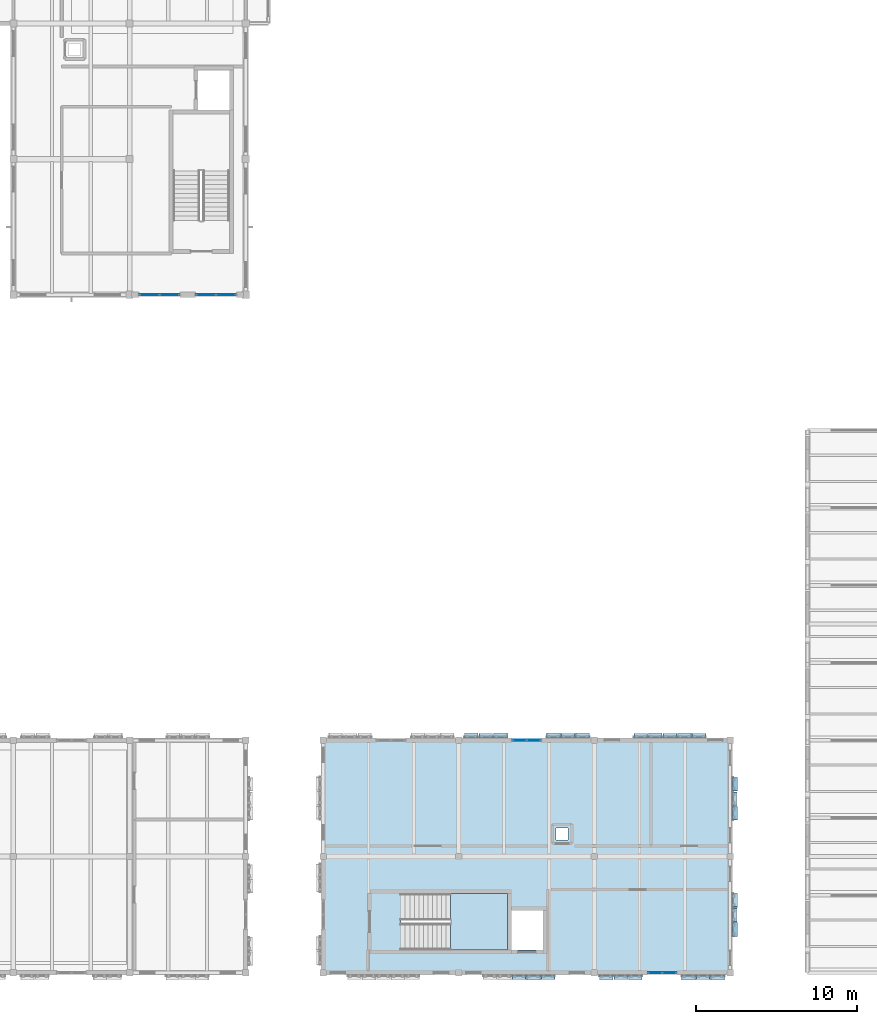
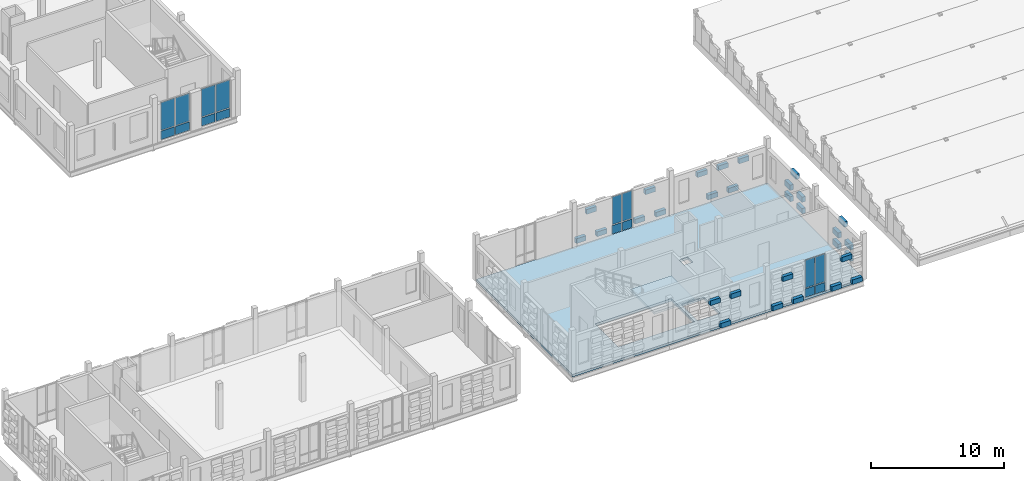
# One storey, part 36 of 81: 46 plates, 2 slabs, 5 elements without a shape of their own.
"""IFC4 building model written with IfcOpenShell, lengths in metres."""

from ifc_helpers import new_model, si_unit, direction, frame, origin, origin_2d, place, context, subcontext, project, spatial, polyline, rectangle, outline, extrude, material, layer, layer_set, type_object, element, aggregate, save


model = new_model("IFC4")

# Units and contexts
model_context = context("Model", 3, precision=1e-05, world=origin(), true_north=direction((0.0, 1.0)))
body_context = subcontext(model_context, "Body", "Model", "MODEL_VIEW")
ifc_project = project(units=[si_unit("LENGTHUNIT", "METRE"), si_unit("AREAUNIT", "SQUARE_METRE"), si_unit("VOLUMEUNIT", "CUBIC_METRE"), si_unit("PLANEANGLEUNIT", "RADIAN"), si_unit("MASSUNIT", "GRAM", prefix="KILO")], contexts=[model_context])

# Site, building, storey
site_placement = place(None, origin())
site = spatial("IfcSite", under=ifc_project, at=site_placement, CompositionType="ELEMENT")
building_placement = place(site_placement, origin())
building = spatial("IfcBuilding", under=site, at=building_placement, Name="Kahlenmark Community Centre", CompositionType="ELEMENT")
storey_placement = place(building_placement, frame((0.0, 0.0, 9.60009765625)))
storey = spatial("IfcBuildingStorey", under=building, at=storey_placement, Name="L02", CompositionType="ELEMENT", Elevation=9.60009765625)

# Curtain wall, plates
ifc_material_1 = material(Name="Anodised aluminium unitised curtain wall", Category="aluminium")
curtain_wall_type_1 = type_object("IfcCurtainWallType", Name="CWT-UNIT-254X347", PredefinedType="USERDEFINED", material=ifc_material_1)
curtain_wall_1_placement = place(storey_placement, origin())
curtain_wall_1 = element("IfcCurtainWall", 1, at=curtain_wall_1_placement, inside=storey, type_object=curtain_wall_type_1, Name="Unitised curtain wall CW-099", ObjectType="UNITISED CURTAIN WALL", PredefinedType="USERDEFINED")
ifc_material_2 = material(Name="Triple low-e solar-control glass unit", Category="glass")
ifc_layer_1 = layer(ifc_material_2, 0.0439453125)
ifc_layer_set_1 = layer_set([ifc_layer_1], Name="Triple low-e solar-control glass unit")
plate_type_1 = type_object("IfcPlateType", Name="PLT-CW-GLZ-1190X2540", PredefinedType="CURTAIN_PANEL", material=ifc_layer_set_1)
plate_1_placement = place(storey_placement, frame((80.81494140625, 50.800048828125, 0.889892578125), z_axis=(0.0, 0.0, 1.0), x_axis=(1.0, 0.0, 0.0)))
plate_1 = element("IfcPlate", 2, at=plate_1_placement, type_object=plate_type_1, Name="CW-099 glazed panel 1", PredefinedType="CURTAIN_PANEL", context=body_context, shape_type="SweptSolid", body=[
    extrude(rectangle(XDim=1.18994140625, YDim=0.0439453125, at=origin_2d()), origin(), (0.0, 0.0, 1.0), 2.5400390625),
])
plate_2_placement = place(storey_placement, frame((82.0849609375, 50.800048828125, 0.889892578125), z_axis=(0.0, 0.0, 1.0), x_axis=(1.0, 0.0, 0.0)))
plate_2 = element("IfcPlate", 3, at=plate_2_placement, type_object=plate_type_1, Name="CW-099 glazed panel 2", PredefinedType="CURTAIN_PANEL", context=body_context, shape_type="SweptSolid", body=[
    extrude(rectangle(XDim=1.18994140625, YDim=0.0439453125, at=origin_2d()), origin(), (0.0, 0.0, 1.0), 2.5400390625),
])

curtain_wall_2_placement = place(storey_placement, origin())
curtain_wall_2 = element("IfcCurtainWall", 4, at=curtain_wall_2_placement, inside=storey, type_object=curtain_wall_type_1, Name="Unitised curtain wall CW-100", ObjectType="UNITISED CURTAIN WALL", PredefinedType="USERDEFINED")
plate_3_placement = place(storey_placement, frame((84.31494140625, 50.800048828125, 0.889892578125), z_axis=(0.0, 0.0, 1.0), x_axis=(1.0, 0.0, 0.0)))
plate_3 = element("IfcPlate", 5, at=plate_3_placement, type_object=plate_type_1, Name="CW-100 glazed panel 1", PredefinedType="CURTAIN_PANEL", context=body_context, shape_type="SweptSolid", body=[
    extrude(rectangle(XDim=1.18994140625, YDim=0.0439453125, at=origin_2d()), origin(), (0.0, 0.0, 1.0), 2.5400390625),
])
plate_4_placement = place(storey_placement, frame((85.5849609375, 50.800048828125, 0.889892578125), z_axis=(0.0, 0.0, 1.0), x_axis=(1.0, 0.0, 0.0)))
plate_4 = element("IfcPlate", 6, at=plate_4_placement, type_object=plate_type_1, Name="CW-100 glazed panel 2", PredefinedType="CURTAIN_PANEL", context=body_context, shape_type="SweptSolid", body=[
    extrude(rectangle(XDim=1.18994140625, YDim=0.0439453125, at=origin_2d()), origin(), (0.0, 0.0, 1.0), 2.5400390625),
])

curtain_wall_type_2 = type_object("IfcCurtainWallType", Name="CWT-UNIT-180X347", PredefinedType="USERDEFINED", material=ifc_material_1)
curtain_wall_3_placement = place(storey_placement, origin())
curtain_wall_3 = element("IfcCurtainWall", 7, at=curtain_wall_3_placement, inside=storey, type_object=curtain_wall_type_2, Name="Unitised curtain wall CW-101", ObjectType="UNITISED CURTAIN WALL", PredefinedType="USERDEFINED")
ifc_layer_2 = layer(ifc_material_2, 0.0439453125)
ifc_layer_set_2 = layer_set([ifc_layer_2], Name="Triple low-e solar-control glass unit")
plate_type_2 = type_object("IfcPlateType", Name="PLT-CW-GLZ-820X2540", PredefinedType="CURTAIN_PANEL", material=ifc_layer_set_2)
plate_5_placement = place(storey_placement, frame((112.14990234375, 8.800048828125, 0.889892578125), z_axis=(0.0, 0.0, 1.0), x_axis=(1.0, 0.0, 0.0)))
plate_5 = element("IfcPlate", 8, at=plate_5_placement, type_object=plate_type_2, Name="CW-101 glazed panel 1", PredefinedType="CURTAIN_PANEL", context=body_context, shape_type="SweptSolid", body=[
    extrude(rectangle(XDim=0.820068359375, YDim=0.0439453125, at=origin_2d()), origin(), (0.0, 0.0, 1.0), 2.5400390625),
])
plate_6_placement = place(storey_placement, frame((113.050048828125, 8.800048828125, 0.889892578125), z_axis=(0.0, 0.0, 1.0), x_axis=(1.0, 0.0, 0.0)))
plate_6 = element("IfcPlate", 9, at=plate_6_placement, type_object=plate_type_2, Name="CW-101 glazed panel 2", PredefinedType="CURTAIN_PANEL", context=body_context, shape_type="SweptSolid", body=[
    extrude(rectangle(XDim=0.820068359375, YDim=0.0439453125, at=origin_2d()), origin(), (0.0, 0.0, 1.0), 2.5400390625),
])

curtain_wall_4_placement = place(storey_placement, origin())
curtain_wall_4 = element("IfcCurtainWall", 10, at=curtain_wall_4_placement, inside=storey, type_object=curtain_wall_type_2, Name="Unitised curtain wall CW-103", ObjectType="UNITISED CURTAIN WALL", PredefinedType="USERDEFINED")
plate_7_placement = place(storey_placement, frame((104.64990234375, 23.199951171875, 0.889892578125), z_axis=(0.0, 0.0, 1.0), x_axis=(-1.0, 0.0, 0.0)))
plate_7 = element("IfcPlate", 11, at=plate_7_placement, type_object=plate_type_2, Name="CW-103 glazed panel 1", PredefinedType="CURTAIN_PANEL", context=body_context, shape_type="SweptSolid", body=[
    extrude(rectangle(XDim=0.820068359375, YDim=0.0439453125, at=origin_2d()), origin(), (0.0, 0.0, 1.0), 2.5400390625),
])
plate_8_placement = place(storey_placement, frame((103.75, 23.199951171875, 0.889892578125), z_axis=(0.0, 0.0, 1.0), x_axis=(-1.0, 0.0, 0.0)))
plate_8 = element("IfcPlate", 12, at=plate_8_placement, type_object=plate_type_2, Name="CW-103 glazed panel 2", PredefinedType="CURTAIN_PANEL", context=body_context, shape_type="SweptSolid", body=[
    extrude(rectangle(XDim=0.820068359375, YDim=0.0439453125, at=origin_2d()), origin(), (0.0, 0.0, 1.0), 2.5400390625),
])

# Plate
ifc_material_3 = material(Name="Warm terracotta insulated spandrel cassette", Category="masonry")
ifc_layer_3 = layer(ifc_material_3, 0.06005859375)
ifc_layer_set_3 = layer_set([ifc_layer_3], Name="Warm terracotta insulated spandrel cassette")
plate_type_3 = type_object("IfcPlateType", Name="PLT-CW-SPD-1190X770", PredefinedType="CURTAIN_PANEL", material=ifc_layer_set_3)
plate_9_placement = place(storey_placement, frame((80.81494140625, 50.800048828125, 0.039794921875), z_axis=(0.0, 0.0, 1.0), x_axis=(1.0, 0.0, 0.0)))
plate_9 = element("IfcPlate", 13, at=plate_9_placement, type_object=plate_type_3, Name="CW-099 spandrel 1", PredefinedType="CURTAIN_PANEL", context=body_context, shape_type="SweptSolid", body=[
    extrude(rectangle(XDim=1.18994140625, YDim=0.06005859375, at=origin_2d()), origin(), (0.0, 0.0, 1.0), 0.77001953125),
])

plate_10_placement = place(storey_placement, frame((82.0849609375, 50.800048828125, 0.039794921875), z_axis=(0.0, 0.0, 1.0), x_axis=(1.0, 0.0, 0.0)))
plate_10 = element("IfcPlate", 14, at=plate_10_placement, type_object=plate_type_3, Name="CW-099 spandrel 2", PredefinedType="CURTAIN_PANEL", context=body_context, shape_type="SweptSolid", body=[
    extrude(rectangle(XDim=1.18994140625, YDim=0.06005859375, at=origin_2d()), origin(), (0.0, 0.0, 1.0), 0.77001953125),
])

aggregate(curtain_wall_1, [plate_9, plate_1, plate_10, plate_2])

plate_11_placement = place(storey_placement, frame((84.31494140625, 50.800048828125, 0.039794921875), z_axis=(0.0, 0.0, 1.0), x_axis=(1.0, 0.0, 0.0)))
plate_11 = element("IfcPlate", 15, at=plate_11_placement, type_object=plate_type_3, Name="CW-100 spandrel 1", PredefinedType="CURTAIN_PANEL", context=body_context, shape_type="SweptSolid", body=[
    extrude(rectangle(XDim=1.18994140625, YDim=0.06005859375, at=origin_2d()), origin(), (0.0, 0.0, 1.0), 0.77001953125),
])

plate_12_placement = place(storey_placement, frame((85.5849609375, 50.800048828125, 0.039794921875), z_axis=(0.0, 0.0, 1.0), x_axis=(1.0, 0.0, 0.0)))
plate_12 = element("IfcPlate", 16, at=plate_12_placement, type_object=plate_type_3, Name="CW-100 spandrel 2", PredefinedType="CURTAIN_PANEL", context=body_context, shape_type="SweptSolid", body=[
    extrude(rectangle(XDim=1.18994140625, YDim=0.06005859375, at=origin_2d()), origin(), (0.0, 0.0, 1.0), 0.77001953125),
])

aggregate(curtain_wall_2, [plate_11, plate_3, plate_12, plate_4])

ifc_layer_4 = layer(ifc_material_3, 0.06005859375)
ifc_layer_set_4 = layer_set([ifc_layer_4], Name="Warm terracotta insulated spandrel cassette")
plate_type_4 = type_object("IfcPlateType", Name="PLT-CW-SPD-820X770", PredefinedType="CURTAIN_PANEL", material=ifc_layer_set_4)
plate_13_placement = place(storey_placement, frame((112.14990234375, 8.800048828125, 0.039794921875), z_axis=(0.0, 0.0, 1.0), x_axis=(1.0, 0.0, 0.0)))
plate_13 = element("IfcPlate", 17, at=plate_13_placement, type_object=plate_type_4, Name="CW-101 spandrel 1", PredefinedType="CURTAIN_PANEL", context=body_context, shape_type="SweptSolid", body=[
    extrude(rectangle(XDim=0.820068359375, YDim=0.06005859375, at=origin_2d()), origin(), (0.0, 0.0, 1.0), 0.77001953125),
])

plate_14_placement = place(storey_placement, frame((113.050048828125, 8.800048828125, 0.039794921875), z_axis=(0.0, 0.0, 1.0), x_axis=(1.0, 0.0, 0.0)))
plate_14 = element("IfcPlate", 18, at=plate_14_placement, type_object=plate_type_4, Name="CW-101 spandrel 2", PredefinedType="CURTAIN_PANEL", context=body_context, shape_type="SweptSolid", body=[
    extrude(rectangle(XDim=0.820068359375, YDim=0.06005859375, at=origin_2d()), origin(), (0.0, 0.0, 1.0), 0.77001953125),
])

aggregate(curtain_wall_3, [plate_13, plate_5, plate_14, plate_6])

plate_15_placement = place(storey_placement, frame((104.64990234375, 23.199951171875, 0.039794921875), z_axis=(0.0, 0.0, 1.0), x_axis=(-1.0, 0.0, 0.0)))
plate_15 = element("IfcPlate", 19, at=plate_15_placement, type_object=plate_type_4, Name="CW-103 spandrel 1", PredefinedType="CURTAIN_PANEL", context=body_context, shape_type="SweptSolid", body=[
    extrude(rectangle(XDim=0.820068359375, YDim=0.06005859375, at=origin_2d()), origin(), (0.0, 0.0, 1.0), 0.77001953125),
])

plate_16_placement = place(storey_placement, frame((103.75, 23.199951171875, 0.039794921875), z_axis=(0.0, 0.0, 1.0), x_axis=(-1.0, 0.0, 0.0)))
plate_16 = element("IfcPlate", 20, at=plate_16_placement, type_object=plate_type_4, Name="CW-103 spandrel 2", PredefinedType="CURTAIN_PANEL", context=body_context, shape_type="SweptSolid", body=[
    extrude(rectangle(XDim=0.820068359375, YDim=0.06005859375, at=origin_2d()), origin(), (0.0, 0.0, 1.0), 0.77001953125),
])

aggregate(curtain_wall_4, [plate_15, plate_7, plate_16, plate_8])

# Plates
ifc_material_4 = material(Name="Extruded glazed terracotta weave cassette", Category="masonry")
ifc_layer_5 = layer(ifc_material_4, 0.300048828125)
ifc_layer_set_5 = layer_set([ifc_layer_5], Name="Extruded glazed terracotta weave cassette")
plate_type_5 = type_object("IfcPlateType", Name="PLT-TC-TC-R34-840X300X478", PredefinedType="SHEET", material=ifc_layer_set_5)
for number, where, z_axis, x_axis, name in (
    (21, (117.10009765625, 11.47998046875, 1.135986328125), (0.0, 0.0, 1.0), (0.0, 1.0, 0.0), "Basketweave terracotta cassette 3342"),
    (22, (117.10009765625, 13.280029296875, 1.135986328125), (0.0, 0.0, 1.0), (0.0, 1.0, 0.0), "Basketweave terracotta cassette 3354"),
    (23, (117.10009765625, 18.679931640625, 1.135986328125), (0.0, 0.0, 1.0), (0.0, 1.0, 0.0), "Basketweave terracotta cassette 3360"),
    (24, (117.10009765625, 20.47998046875, 1.135986328125), (0.0, 0.0, 1.0), (0.0, 1.0, 0.0), "Basketweave terracotta cassette 3372"),
):
    element("IfcPlate", number, at=place(storey_placement, frame(where, z_axis=z_axis, x_axis=x_axis)), inside=storey, type_object=plate_type_5, Name=name, PredefinedType="SHEET", context=body_context, shape_type="SweptSolid", body=[
        extrude(rectangle(XDim=0.840087890625, YDim=0.300048828125, at=origin_2d()), origin(), (0.0, 0.0, 1.0), 0.47802734375),
    ])
ifc_layer_6 = layer(ifc_material_4, 0.300048828125)
ifc_layer_set_6 = layer_set([ifc_layer_6], Name="Extruded glazed terracotta weave cassette")
plate_type_6 = type_object("IfcPlateType", Name="PLT-TC-TC-R34-860X300X433", PredefinedType="SHEET", material=ifc_layer_set_6)
for number, where, z_axis, x_axis, name in (
    (25, (104.6298828125, 8.5, 0.099853515625), (0.0, 0.0, 1.0), (1.0, 0.0, 0.0), "Basketweave terracotta cassette 3123"),
    (26, (109.1298828125, 8.5, 0.099853515625), (0.0, 0.0, 1.0), (1.0, 0.0, 0.0), "Basketweave terracotta cassette 3137"),
    (27, (110.929931640625, 8.5, 0.099853515625), (0.0, 0.0, 1.0), (1.0, 0.0, 0.0), "Basketweave terracotta cassette 3151"),
    (28, (114.22998046875, 8.5, 0.099853515625), (0.0, 0.0, 1.0), (1.0, 0.0, 0.0), "Basketweave terracotta cassette 3158"),
    (29, (116.030029296875, 8.5, 0.099853515625), (0.0, 0.0, 1.0), (1.0, 0.0, 0.0), "Basketweave terracotta cassette 3172"),
    (30, (107.669921875, 23.5, 0.099853515625), (0.0, 0.0, 1.0), (-1.0, 0.0, 0.0), "Basketweave terracotta cassette 3221"),
    (31, (105.8701171875, 23.5, 0.099853515625), (0.0, 0.0, 1.0), (-1.0, 0.0, 0.0), "Basketweave terracotta cassette 3235"),
    (32, (102.570068359375, 23.5, 0.099853515625), (0.0, 0.0, 1.0), (-1.0, 0.0, 0.0), "Basketweave terracotta cassette 3242"),
    (33, (100.77001953125, 23.5, 0.099853515625), (0.0, 0.0, 1.0), (-1.0, 0.0, 0.0), "Basketweave terracotta cassette 3256"),
    (34, (113.969970703125, 23.5, 0.099853515625), (0.0, 0.0, 1.0), (-1.0, 0.0, 0.0), "Basketweave terracotta cassette 3270"),
    (35, (112.169921875, 23.5, 0.099853515625), (0.0, 0.0, 1.0), (-1.0, 0.0, 0.0), "Basketweave terracotta cassette 3284"),
):
    element("IfcPlate", number, at=place(storey_placement, frame(where, z_axis=z_axis, x_axis=x_axis)), inside=storey, type_object=plate_type_6, Name=name, PredefinedType="SHEET", context=body_context, shape_type="SweptSolid", body=[
        extrude(rectangle(XDim=0.860107421875, YDim=0.300048828125, at=origin_2d()), origin(), (0.0, 0.0, 1.0), 0.43310546875),
    ])
ifc_layer_7 = layer(ifc_material_4, 0.300048828125)
ifc_layer_set_7 = layer_set([ifc_layer_7], Name="Extruded glazed terracotta weave cassette")
plate_type_7 = type_object("IfcPlateType", Name="PLT-TC-TC-R34-860X300X478", PredefinedType="SHEET", material=ifc_layer_set_7)
for number, where, z_axis, x_axis, name in (
    (36, (117.10009765625, 11.47998046875, 0.099853515625), (0.0, 0.0, 1.0), (0.0, 1.0, 0.0), "Basketweave terracotta cassette 3340"),
    (37, (117.10009765625, 13.280029296875, 0.099853515625), (0.0, 0.0, 1.0), (0.0, 1.0, 0.0), "Basketweave terracotta cassette 3352"),
    (38, (117.10009765625, 18.679931640625, 0.099853515625), (0.0, 0.0, 1.0), (0.0, 1.0, 0.0), "Basketweave terracotta cassette 3358"),
    (39, (117.10009765625, 20.47998046875, 0.099853515625), (0.0, 0.0, 1.0), (0.0, 1.0, 0.0), "Basketweave terracotta cassette 3370"),
):
    element("IfcPlate", number, at=place(storey_placement, frame(where, z_axis=z_axis, x_axis=x_axis)), inside=storey, type_object=plate_type_7, Name=name, PredefinedType="SHEET", context=body_context, shape_type="SweptSolid", body=[
        extrude(rectangle(XDim=0.860107421875, YDim=0.300048828125, at=origin_2d()), origin(), (0.0, 0.0, 1.0), 0.47802734375),
    ])
ifc_layer_8 = layer(ifc_material_4, 0.280029296875)
ifc_layer_set_8 = layer_set([ifc_layer_8], Name="Extruded glazed terracotta weave cassette")
plate_type_8 = type_object("IfcPlateType", Name="PLT-TC-TC-W30-860X280X433", PredefinedType="SHEET", material=ifc_layer_set_8)
for number, where, z_axis, x_axis, name in (
    (40, (103.72998046875, 8.510009765625, 2.46484375), (0.0, 0.0, 1.0), (1.0, 0.0, 0.0), "Basketweave terracotta cassette 3121"),
    (41, (105.530029296875, 8.510009765625, 2.46484375), (0.0, 0.0, 1.0), (1.0, 0.0, 0.0), "Basketweave terracotta cassette 3135"),
    (42, (110.030029296875, 8.510009765625, 2.46484375), (0.0, 0.0, 1.0), (1.0, 0.0, 0.0), "Basketweave terracotta cassette 3149"),
    (43, (115.1298828125, 8.510009765625, 2.46484375), (0.0, 0.0, 1.0), (1.0, 0.0, 0.0), "Basketweave terracotta cassette 3170"),
    (44, (106.77001953125, 23.489990234375, 2.46484375), (0.0, 0.0, 1.0), (-1.0, 0.0, 0.0), "Basketweave terracotta cassette 3233"),
    (45, (101.669921875, 23.489990234375, 2.46484375), (0.0, 0.0, 1.0), (-1.0, 0.0, 0.0), "Basketweave terracotta cassette 3254"),
    (46, (114.8701171875, 23.489990234375, 2.46484375), (0.0, 0.0, 1.0), (-1.0, 0.0, 0.0), "Basketweave terracotta cassette 3268"),
    (47, (113.070068359375, 23.489990234375, 2.46484375), (0.0, 0.0, 1.0), (-1.0, 0.0, 0.0), "Basketweave terracotta cassette 3282"),
    (48, (111.27001953125, 23.489990234375, 2.46484375), (0.0, 0.0, 1.0), (-1.0, 0.0, 0.0), "Basketweave terracotta cassette 3296"),
):
    element("IfcPlate", number, at=place(storey_placement, frame(where, z_axis=z_axis, x_axis=x_axis)), inside=storey, type_object=plate_type_8, Name=name, PredefinedType="SHEET", context=body_context, shape_type="SweptSolid", body=[
        extrude(rectangle(XDim=0.860107421875, YDim=0.280029296875, at=origin_2d()), origin(), (0.0, 0.0, 1.0), 0.43310546875),
    ])
ifc_layer_9 = layer(ifc_material_4, 0.280029296875)
ifc_layer_set_9 = layer_set([ifc_layer_9], Name="Extruded glazed terracotta weave cassette")
plate_type_9 = type_object("IfcPlateType", Name="PLT-TC-TC-W30-860X280X478", PredefinedType="SHEET", material=ifc_layer_set_9)
for number, where, z_axis, x_axis, name in (
    (49, (117.090087890625, 12.3798828125, 2.68994140625), (0.0, 0.0, 1.0), (0.0, 1.0, 0.0), "Basketweave terracotta cassette 3351"),
    (50, (117.090087890625, 19.580078125, 2.68994140625), (0.0, 0.0, 1.0), (0.0, 1.0, 0.0), "Basketweave terracotta cassette 3369"),
):
    element("IfcPlate", number, at=place(storey_placement, frame(where, z_axis=z_axis, x_axis=x_axis)), inside=storey, type_object=plate_type_9, Name=name, PredefinedType="SHEET", context=body_context, shape_type="SweptSolid", body=[
        extrude(rectangle(XDim=0.860107421875, YDim=0.280029296875, at=origin_2d()), origin(), (0.0, 0.0, 1.0), 0.47802734375),
    ])

# Stair, slab
ifc_material_5 = material(Name="Concrete C35/45", Category="concrete")
stair_type = type_object("IfcStairType", Name="STT-CORE-ST-07-175", PredefinedType="HALF_TURN_STAIR", material=ifc_material_5)
stair_placement = place(storey_placement, origin())
stair = element("IfcStair", 51, at=stair_placement, inside=storey, type_object=stair_type, Name="L02 Core K7 Escape Stair ST-07", PredefinedType="HALF_TURN_STAIR")
ifc_layer_10 = layer(ifc_material_5, 0.199951171875)
ifc_layer_set_10 = layer_set([ifc_layer_10], Name="Concrete C35/45")
slab_type_1 = type_object("IfcSlabType", Name="SLT-CORE-200", PredefinedType="LANDING", material=ifc_layer_set_10)
slab_1_placement = place(storey_placement, frame((0.0, 0.0, 1.89990234375)))
slab_1 = element("IfcSlab", 52, at=slab_1_placement, type_object=slab_type_1, Name="ST-07 landing 1", PredefinedType="LANDING", context=body_context, shape_type="SweptSolid", body=[
    extrude(outline(polyline([(99.47998046875, 10.199951171875), (103.0, 10.199951171875), (103.0, 13.699951171875), (99.47998046875, 13.699951171875), (99.47998046875, 10.199951171875)])), origin(), (0.0, 0.0, 1.0), 0.199951171875),
])
aggregate(stair, [slab_1])

# Slab
ifc_material_6 = material(Name="Cross-laminated timber CLT C24", Category="wood")
ifc_layer_11 = layer(ifc_material_6, 0.219970703125)
ifc_layer_set_11 = layer_set([ifc_layer_11], Name="Cross-laminated timber CLT C24")
slab_type_2 = type_object("IfcSlabType", Name="ST-FL-CLT220", PredefinedType="FLOOR", material=ifc_layer_set_11)
slab_2_placement = place(storey_placement, frame((0.0, 0.0, -0.22021484375)))
element("IfcSlab", 53, at=slab_2_placement, inside=storey, type_object=slab_type_2, Name="L02 suspended floor slab V4W", PredefinedType="FLOOR", context=body_context, shape_type="SweptSolid", body=[
    extrude(outline(polyline([(91.60009765625, 8.800048828125), (116.800048828125, 8.800048828125), (116.800048828125, 23.199951171875), (91.60009765625, 23.199951171875), (91.60009765625, 8.800048828125)]), holes=[polyline([(96.406005859375, 10.2060546875), (102.993896484375, 10.2060546875), (102.993896484375, 13.694091796875), (96.406005859375, 13.694091796875), (96.406005859375, 10.2060546875)]), polyline([(103.256103515625, 10.2060546875), (105.2041015625, 10.2060546875), (105.2041015625, 12.654052734375), (103.256103515625, 12.654052734375), (103.256103515625, 10.2060546875)]), polyline([(106.02587890625, 17.02587890625), (106.77392578125, 17.02587890625), (106.77392578125, 17.77392578125), (106.02587890625, 17.77392578125), (106.02587890625, 17.02587890625)])]), origin(), (0.0, 0.0, 1.0), 0.22021484375),
])

save(model, "model.ifc")
